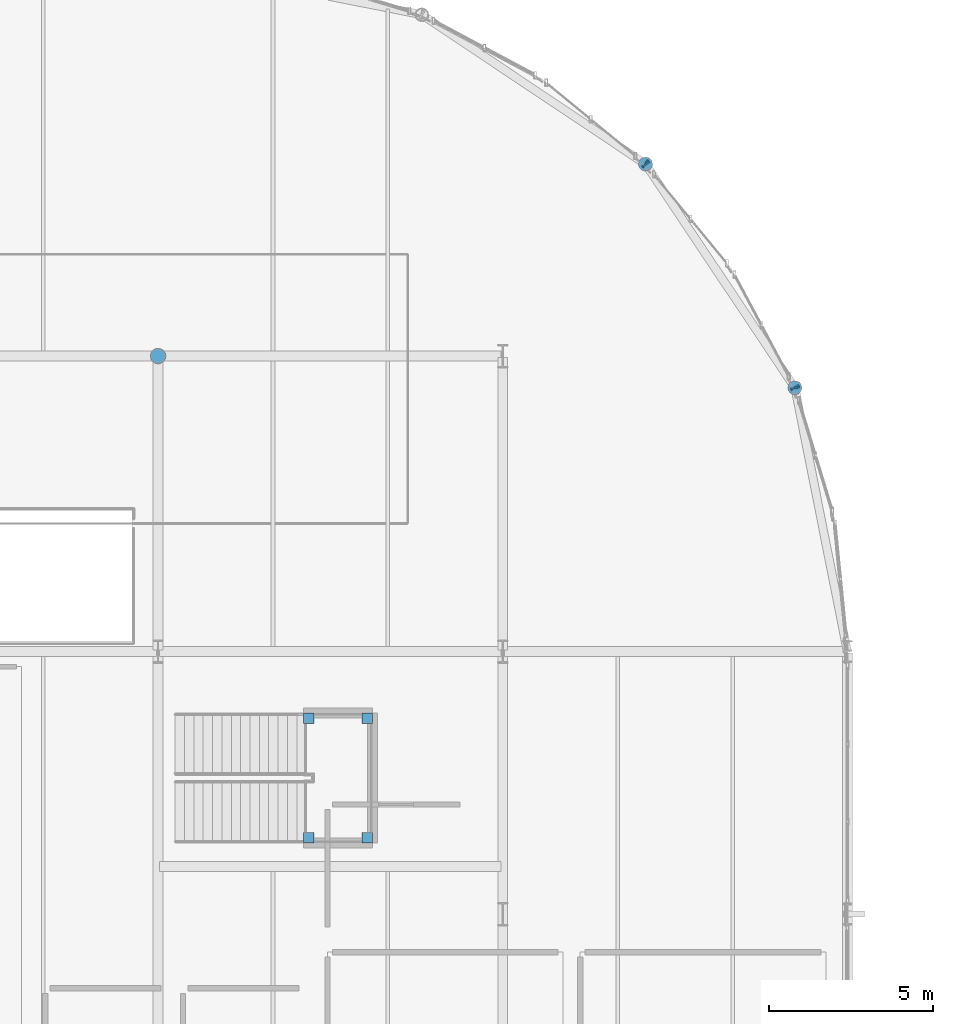
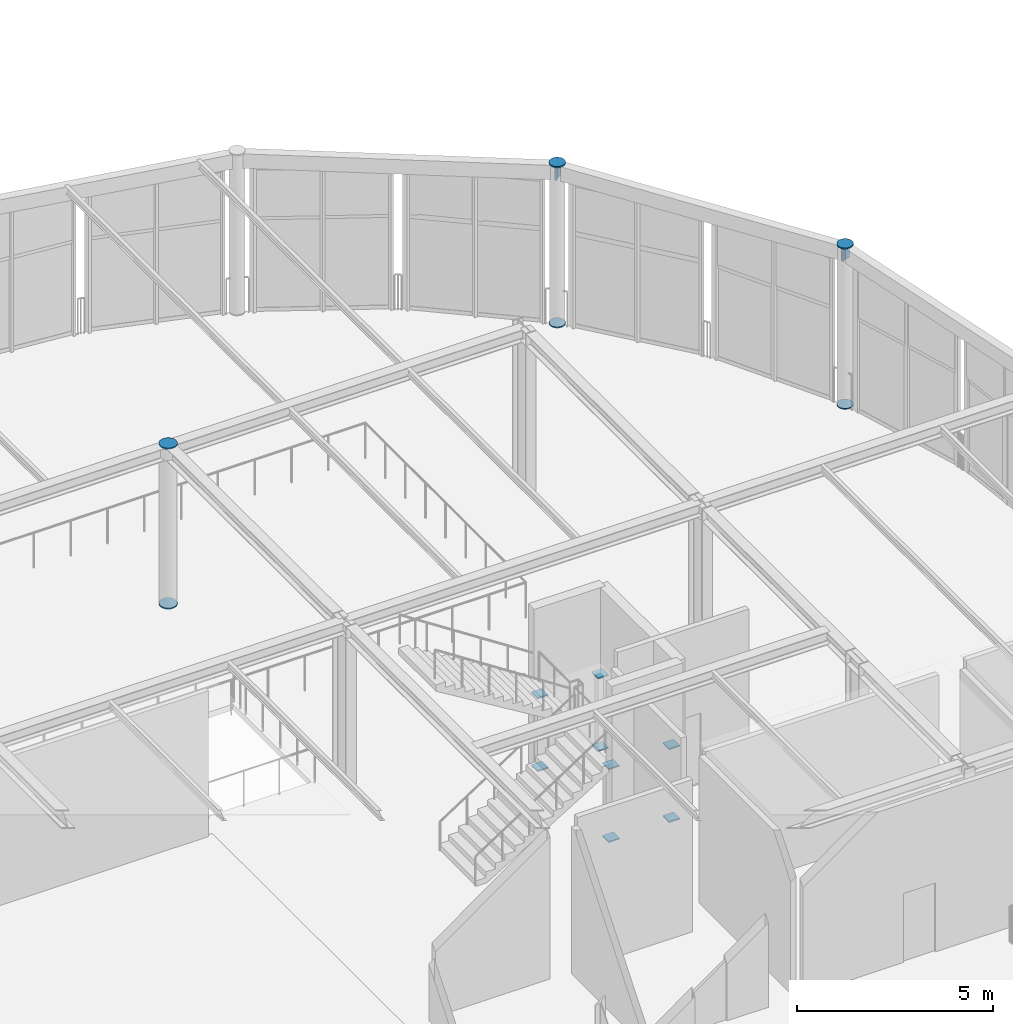
# One storey, part 142 of 195: 18 discrete accessories.
"""IFC4 building model written with IfcOpenShell, lengths in metres."""

from ifc_helpers import new_model, si_unit, direction, frame, origin, origin_2d, place, context, subcontext, project, spatial, rectangle, circle, extrude, material, element, save


model = new_model("IFC4")

# Units and contexts
model_context = context("Model", 3, precision=1e-05, world=origin(), true_north=direction((0.0, 1.0)))
body_context = subcontext(model_context, "Body", "Model", "MODEL_VIEW")
ifc_project = project(units=[si_unit("LENGTHUNIT", "METRE"), si_unit("AREAUNIT", "SQUARE_METRE"), si_unit("VOLUMEUNIT", "CUBIC_METRE"), si_unit("PLANEANGLEUNIT", "RADIAN"), si_unit("MASSUNIT", "GRAM", prefix="KILO")], contexts=[model_context])

# Site, building, storey
site_placement = place(None, origin())
site = spatial("IfcSite", under=ifc_project, at=site_placement, CompositionType="ELEMENT")
building_placement = place(site_placement, origin())
building = spatial("IfcBuilding", under=site, at=building_placement, Name="Marlcrest Central Station", CompositionType="ELEMENT")
storey_placement = place(building_placement, frame((0.0, 0.0, 9.800048828125)))
storey = spatial("IfcBuildingStorey", under=building, at=storey_placement, Name="L02", CompositionType="ELEMENT", Elevation=9.800048828125)

# Discrete accessories
ifc_material = material(Name="Steel S355", Category="steel")
for number, where, z_axis, x_axis, name in (
    (1, (122.84912109375, 125.34912109375, -0.014892578125), (0.0, 0.0, 1.0), (1.0, 0.0, 0.0), "endcap-col-SC-10-L02-0865-s"),
    (2, (122.84912109375, 125.34912109375, 4.985107421875), (0.0, 0.0, 1.0), (1.0, 0.0, 0.0), "endcap-col-SC-10-L02-0865-e"),
    (3, (127.40087890625, 118.535888671875, -0.014892578125), (0.0, 0.0, 1.0), (1.0, 0.0, 0.0), "endcap-col-SC-10-L02-0869-s"),
    (4, (127.40087890625, 118.535888671875, 4.985107421875), (0.0, 0.0, 1.0), (1.0, 0.0, 0.0), "endcap-col-SC-10-L02-0869-e"),
):
    element("IfcDiscreteAccessory", number, at=place(storey_placement, frame(where, z_axis=z_axis, x_axis=x_axis)), inside=storey, material=ifc_material, Name=name, ObjectType="END_CAP_PLATE", PredefinedType="BRACKET", context=body_context, shape_type="SweptSolid", body=[
        extrude(circle(Radius=0.211181640625, at=origin_2d()), origin(), (0.0, 0.0, 1.0), 0.0400390625),
    ])
for number, where, z_axis, x_axis, name in (
    (5, (108.0, 119.5, -0.014892578125), (0.0, 0.0, 1.0), (1.0, 0.0, 0.0), "endcap-col-SC-11-L02-0877-s"),
    (6, (108.0, 119.5, 4.969970703125), (0.0, 0.0, 1.0), (1.0, 0.0, 0.0), "endcap-col-SC-11-L02-0877-e"),
):
    element("IfcDiscreteAccessory", number, at=place(storey_placement, frame(where, z_axis=z_axis, x_axis=x_axis)), inside=storey, material=ifc_material, Name=name, ObjectType="END_CAP_PLATE", PredefinedType="BRACKET", context=body_context, shape_type="SweptSolid", body=[
        extrude(circle(Radius=0.236572265625, at=origin_2d()), origin(), (0.0, 0.0, 1.0), 0.0400390625),
    ])
for number, where, z_axis, x_axis, name in (
    (7, (122.828369140625, 125.363037109375, 4.77001953125), (0.831508991937, -0.55551129271, 0.0), (0.55551129271, 0.831508991937, 0.0), "endcap-bm-SP-02-L02-01482-e"),
    (8, (122.8408203125, 125.361572265625, 4.77001953125), (0.55551129271, -0.831508991937, 0.0), (0.831508991937, 0.55551129271, 0.0), "endcap-bm-SP-02-L02-01483-s"),
    (9, (127.386962890625, 118.556640625, 4.77001953125), (0.55551129271, -0.831508991937, 0.0), (0.831508991937, 0.55551129271, 0.0), "endcap-bm-SP-02-L02-01483-e"),
    (10, (127.39794921875, 118.550537109375, 4.77001953125), (0.19517056122, -0.980769316421, 0.0), (0.980769316421, 0.19517056122, 0.0), "endcap-bm-SP-02-L02-01484-s"),
):
    element("IfcDiscreteAccessory", number, at=place(storey_placement, frame(where, z_axis=z_axis, x_axis=x_axis)), inside=storey, material=ifc_material, Name=name, ObjectType="END_CAP_PLATE", PredefinedType="BRACKET", context=body_context, shape_type="SweptSolid", body=[
        extrude(rectangle(XDim=0.26611328125, YDim=0.466064453125, at=origin_2d()), origin(), (0.0, 0.0, 1.0), 0.0400390625),
    ])
for number, where, z_axis, x_axis, name in (
    (11, (112.590087890625, 104.830078125, -0.014892578125), (0.0, 0.0, 1.0), (1.0, 0.0, 0.0), "endcap-htcol-lo-0036-0-s"),
    (12, (112.590087890625, 104.830078125, 2.255126953125), (0.0, 0.0, 1.0), (1.0, 0.0, 0.0), "endcap-htcol-lo-0036-0-e"),
    (13, (114.3701171875, 104.830078125, -0.014892578125), (0.0, 0.0, 1.0), (1.0, 0.0, 0.0), "endcap-htcol-lo-0036-1-s"),
    (14, (114.3701171875, 104.830078125, 2.255126953125), (0.0, 0.0, 1.0), (1.0, 0.0, 0.0), "endcap-htcol-lo-0036-1-e"),
    (15, (114.3701171875, 108.469970703125, -0.014892578125), (0.0, 0.0, 1.0), (1.0, 0.0, 0.0), "endcap-htcol-lo-0036-2-s"),
    (16, (114.3701171875, 108.469970703125, 2.255126953125), (0.0, 0.0, 1.0), (1.0, 0.0, 0.0), "endcap-htcol-lo-0036-2-e"),
    (17, (112.590087890625, 108.469970703125, -0.014892578125), (0.0, 0.0, 1.0), (1.0, 0.0, 0.0), "endcap-htcol-lo-0036-3-s"),
    (18, (112.590087890625, 108.469970703125, 2.255126953125), (0.0, 0.0, 1.0), (1.0, 0.0, 0.0), "endcap-htcol-lo-0036-3-e"),
):
    element("IfcDiscreteAccessory", number, at=place(storey_placement, frame(where, z_axis=z_axis, x_axis=x_axis)), inside=storey, material=ifc_material, Name=name, ObjectType="END_CAP_PLATE", PredefinedType="BRACKET", context=body_context, shape_type="SweptSolid", body=[
        extrude(rectangle(XDim=0.31591796875, YDim=0.31591796875, at=origin_2d()), origin(), (0.0, 0.0, 1.0), 0.0400390625),
    ])

save(model, "model.ifc")
